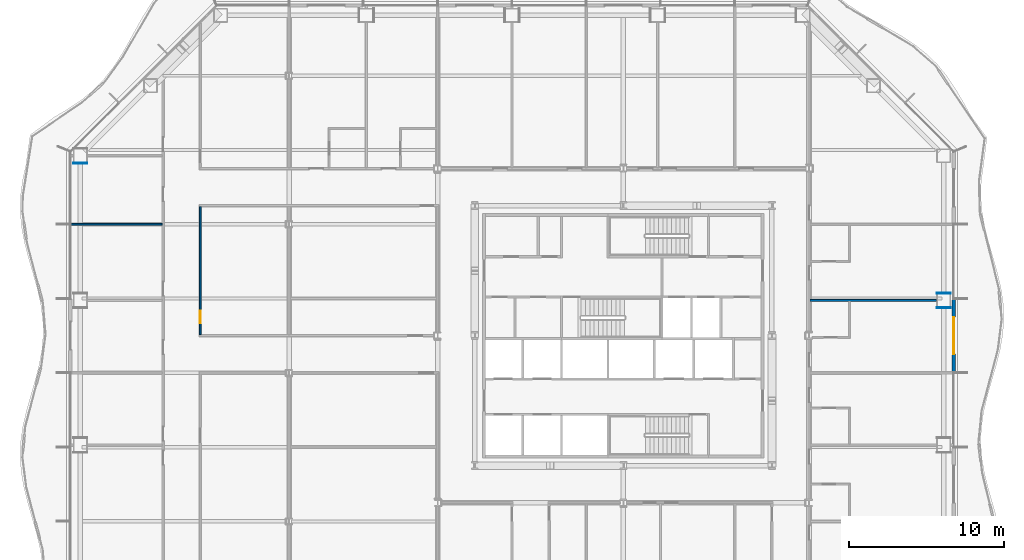
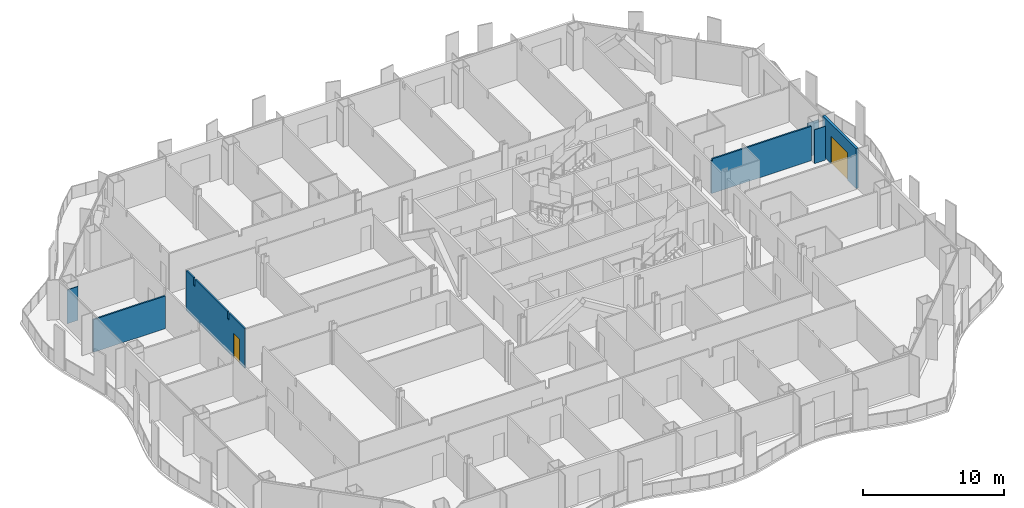
# One storey, part 11 of 21: 7 walls, 2 doors, 2 openings.
"""IFC4 building model written with IfcOpenShell, lengths in metres."""

from ifc_helpers import new_model, si_unit, direction, frame, frame_2d, origin, place, context, subcontext, project, spatial, polyline, rectangle, outline, extrude, material, layer, layer_set, type_object, element, fill, save


model = new_model("IFC4")

# Units and contexts
model_context = context("Model", 3, precision=1e-05, world=origin(), true_north=direction((0.0, 1.0)))
body_context = subcontext(model_context, "Body", "Model", "MODEL_VIEW")
ifc_project = project(units=[si_unit("LENGTHUNIT", "METRE"), si_unit("AREAUNIT", "SQUARE_METRE"), si_unit("VOLUMEUNIT", "CUBIC_METRE"), si_unit("PLANEANGLEUNIT", "RADIAN"), si_unit("MASSUNIT", "GRAM", prefix="KILO")], contexts=[model_context])

# Site, building, storey
site_placement = place(None, origin())
site = spatial("IfcSite", under=ifc_project, at=site_placement, CompositionType="ELEMENT")
building_placement = place(site_placement, origin())
building = spatial("IfcBuilding", under=site, at=building_placement, Name="Cairn Pilgrim Tower", CompositionType="ELEMENT")
storey_placement = place(building_placement, frame((0.0, 0.0, 69.0)))
storey = spatial("IfcBuildingStorey", under=building, at=storey_placement, Name="L15", CompositionType="ELEMENT", Elevation=69.0)

# Wall, opening, door
ifc_material_1 = material(Name="Bronze anodised aluminium insulated sandwich panel with mineral wool fill", Category="aluminium")
ifc_layer_1 = layer(ifc_material_1, 0.199951171875)
ifc_layer_set_1 = layer_set([ifc_layer_1], Name="BRONZE INFILL FRAME WALL 200")
wall_type_1 = type_object("IfcWallType", Name="BRONZE INFILL FRAME WALL 200", PredefinedType="NOTDEFINED", material=ifc_layer_set_1)
wall_1_placement = place(storey_placement, frame((28.550048828125, 0.030029296875, 0.0), z_axis=(0.0, 0.0, 1.0), x_axis=(0.0, 1.0, 0.0)))
wall_1 = element("IfcWall", 1, at=wall_1_placement, inside=storey, type_object=wall_type_1, Name="Bronze infill frame wall IW-E4", PredefinedType="NOTDEFINED", context=body_context, shape_type="SweptSolid", body=[
    extrude(rectangle(XDim=4.739990234375, YDim=0.199951171875, at=frame_2d((2.3701171875, 0.0))), origin(), (0.0, 0.0, 1.0), 3.449951171875),
])
opening_1_placement = place(wall_1_placement, frame((1.169921875, 0.0, 0.0)))
opening_1 = element("IfcOpeningElement", 2, at=opening_1_placement, cuts=wall_1, Name="Opening 1526B", PredefinedType="OPENING", context=body_context, shape_type="SweptSolid", body=[
    extrude(rectangle(XDim=2.39990234375, YDim=2.39990234375, at=frame_2d((1.199951171875, 1.199951171875))), frame((0.0, 0.10986328125, 0.0), z_axis=(0.0, -1.0, 0.0), x_axis=(1.0, 0.0, 0.0)), (0.0, 0.0, 1.0), 0.219970703125),
])
ifc_material_2 = material(Name="Bronze anodised aluminium frame with tinted low-E glass", Category="aluminium")
door_type_1 = type_object("IfcDoorType", Name="BALCONY SLIDING DOOR 2400x2400", OperationType="DOUBLE_DOOR_SLIDING", PredefinedType="DOOR", material=ifc_material_2)
door_1_placement = place(opening_1_placement, origin())
door_1 = element("IfcDoor", 3, at=door_1_placement, inside=storey, type_object=door_type_1, Name="Balcony sliding door 1526B", OperationType="SINGLE_SWING_LEFT", OverallHeight=2.39990234375, OverallWidth=2.39990234375, PredefinedType="DOOR", context=body_context, shape_type="SweptSolid", body=[
    extrude(rectangle(XDim=2.39990234375, YDim=2.39990234375, at=frame_2d((1.199951171875, 1.199951171875))), frame((0.0, 0.02490234375, 0.0), z_axis=(0.0, -1.0, 0.0), x_axis=(1.0, 0.0, 0.0)), (0.0, 0.0, 1.0), 0.050048828125),
])
fill(opening_1, door_1)

ifc_material_3 = material(Name="Gypsum partition")
ifc_layer_2 = layer(ifc_material_3, 0.125)
ifc_layer_set_2 = layer_set([ifc_layer_2], Name="PARTITION 125 DRYWALL EI 60")
wall_type_2 = type_object("IfcWallType", Name="PARTITION 125 DRYWALL EI 60", PredefinedType="PARTITIONING", material=ifc_layer_set_2)
wall_2_placement = place(storey_placement, frame((-20.14990234375, 2.46240234375, 0.0), z_axis=(0.0, 0.0, 1.0), x_axis=(0.0, 1.0, 0.0)))
wall_2 = element("IfcWall", 4, at=wall_2_placement, inside=storey, type_object=wall_type_2, Name="PARTITION W050", PredefinedType="PARTITIONING", context=body_context, shape_type="SweptSolid", body=[
    extrude(outline(polyline([(0.0, 0.0), (8.275146484375, 0.0), (8.27490234375, 3.449951171875), (7.24755859375, 3.449951171875), (7.24560546875, 2.830078125), (7.027587890625, 2.830078125), (7.025390625, 3.449951171875), (2.447509765625, 3.449951171875), (2.445556640625, 2.830078125), (2.2275390625, 2.830078125), (2.2255859375, 3.449951171875), (0.0, 3.449951171875), (0.0, 0.0)])), frame((0.0, 0.0625, 0.0), z_axis=(0.0, -1.0, 0.0), x_axis=(1.0, 0.0, 0.0)), (0.0, 0.0, 1.0), 0.125),
])
opening_2_placement = place(wall_2_placement, frame((0.737548828125, 0.0, 0.0)))
opening_2 = element("IfcOpeningElement", 5, at=opening_2_placement, cuts=wall_2, Name="Opening 1534", PredefinedType="OPENING", context=body_context, shape_type="SweptSolid", body=[
    extrude(rectangle(XDim=0.800048828125, YDim=2.10009765625, at=frame_2d((0.39990234375, 1.050048828125))), frame((0.0, 0.072509765625, 0.0), z_axis=(0.0, -1.0, 0.0), x_axis=(1.0, 0.0, 0.0)), (0.0, 0.0, 1.0), 0.14501953125),
])
ifc_material_4 = material(Name="Steel-faced fire door leaf", Category="steel")
door_type_2 = type_object("IfcDoorType", Name="FIRE DOOR 800x2100 FD30S", OperationType="NOTDEFINED", PredefinedType="DOOR", material=ifc_material_4)
door_2_placement = place(opening_2_placement, frame((0.800048828125, 0.0, 0.0), z_axis=(0.0, 0.0, 1.0), x_axis=(-1.0, 0.0, 0.0)))
door_2 = element("IfcDoor", 6, at=door_2_placement, inside=storey, type_object=door_type_2, Name="DOOR 1534", OperationType="SINGLE_SWING_LEFT", OverallHeight=2.10009765625, OverallWidth=0.800048828125, PredefinedType="DOOR", context=body_context, shape_type="SweptSolid", body=[
    extrude(rectangle(XDim=0.800048828125, YDim=2.10009765625, at=frame_2d((0.39990234375, 1.050048828125))), frame((0.0, 0.02490234375, 0.0), z_axis=(0.0, -1.0, 0.0), x_axis=(1.0, 0.0, 0.0)), (0.0, 0.0, 1.0), 0.050048828125),
])
fill(opening_2, door_2)

# Walls
wall_3_placement = place(storey_placement, frame((19.262451171875, 4.676025390625, 0.0), z_axis=(0.0, 0.0, 1.0), x_axis=(1.0, 0.0, 0.0)))
element("IfcWall", 7, at=wall_3_placement, inside=storey, type_object=wall_type_2, Name="PARTITION W055", PredefinedType="PARTITIONING", context=body_context, shape_type="SweptSolid", body=[
    extrude(outline(polyline([(0.0, 0.0), (8.1875, 0.0), (8.1875, 2.97998046875), (0.08740234375, 2.97998046875), (0.08544921875, 2.830078125), (0.0, 2.830078125), (0.0, 0.0)])), frame((0.0, 0.0625, 0.0), z_axis=(0.0, -1.0, 0.0), x_axis=(1.0, 0.0, 0.0)), (0.0, 0.0, 1.0), 0.125),
])
wall_4_placement = place(storey_placement, frame((-28.489990234375, 9.60009765625, 0.0), z_axis=(0.0, 0.0, 1.0), x_axis=(1.0, 0.0, 0.0)))
element("IfcWall", 8, at=wall_4_placement, inside=storey, type_object=wall_type_2, Name="PARTITION W059", PredefinedType="PARTITIONING", context=body_context, shape_type="SweptSolid", body=[
    extrude(rectangle(XDim=5.87744140625, YDim=0.125, at=frame_2d((2.938720703125, 0.0))), origin(), (0.0, 0.0, 1.0), 2.830078125),
])
ifc_layer_3 = layer(ifc_material_3, 0.050048828125)
ifc_layer_set_3 = layer_set([ifc_layer_3], Name="PARTITION 50 DRYWALL EI 60")
wall_type_3 = type_object("IfcWallType", Name="PARTITION 50 DRYWALL EI 60", PredefinedType="PARTITIONING", material=ifc_layer_set_3)
for number, where, z_axis, x_axis, name in (
    (9, (27.449951171875, 5.150634765625, 0.0), (0.0, 0.0, 1.0), (1.0, 0.0, 0.0), "COLUMN CASING WC28"),
    (10, (27.449951171875, 4.20068359375, 0.0), (0.0, 0.0, 1.0), (1.0, 0.0, 0.0), "COLUMN CASING WC29"),
    (11, (-28.35009765625, 13.55224609375, 0.0), (0.0, 0.0, 1.0), (1.0, 0.0, 0.0), "COLUMN CASING WC43"),
):
    element("IfcWall", number, at=place(storey_placement, frame(where, z_axis=z_axis, x_axis=x_axis)), inside=storey, type_object=wall_type_3, Name=name, PredefinedType="PARTITIONING", context=body_context, shape_type="SweptSolid", body=[
        extrude(rectangle(XDim=0.900146484375, YDim=0.050048828125, at=frame_2d((0.4501953125, 0.0))), origin(), (0.0, 0.0, 1.0), 2.929931640625),
    ])

save(model, "model.ifc")
